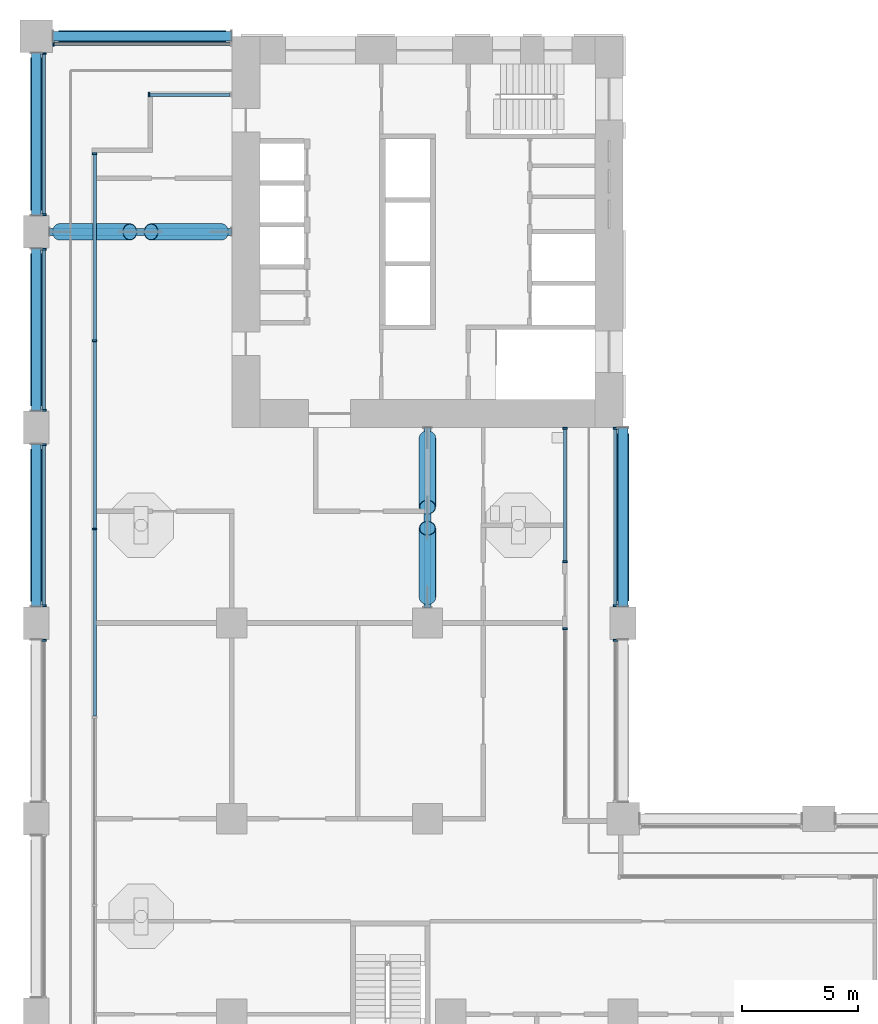
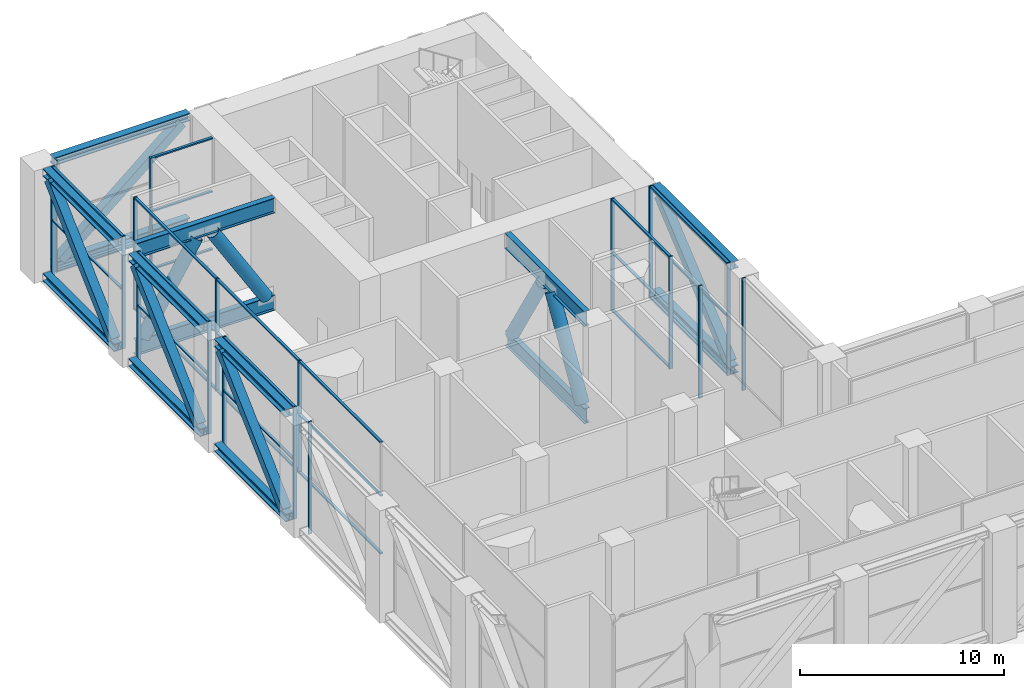
# One storey, part 5 of 28: 69 members, 11 elements without a shape of their own.
"""IFC4 building model written with IfcOpenShell, lengths in metres."""

from ifc_helpers import new_model, si_unit, direction, frame, origin, origin_2d, place, context, subcontext, project, spatial, rectangle, hollow_rectangle, hollow_circle, i_section, extrude, material, material_profile, profile_set, type_object, element, aggregate, save


model = new_model("IFC4")

# Units and contexts
model_context = context("Model", 3, precision=1e-05, world=origin(), true_north=direction((0.0, 1.0)))
body_context = subcontext(model_context, "Body", "Model", "MODEL_VIEW")
ifc_project = project(units=[si_unit("LENGTHUNIT", "METRE"), si_unit("AREAUNIT", "SQUARE_METRE"), si_unit("VOLUMEUNIT", "CUBIC_METRE"), si_unit("PLANEANGLEUNIT", "RADIAN"), si_unit("MASSUNIT", "GRAM", prefix="KILO")], contexts=[model_context])

# Site, building, storey
site_placement = place(None, origin())
site = spatial("IfcSite", under=ifc_project, at=site_placement, CompositionType="ELEMENT")
building_placement = place(site_placement, origin())
building = spatial("IfcBuilding", under=site, at=building_placement, Name="Vermilion Gate Residences", CompositionType="ELEMENT")
storey_placement = place(building_placement, frame((0.0, 0.0, 74.199951171875)))
storey = spatial("IfcBuildingStorey", under=building, at=storey_placement, Name="L18", CompositionType="ELEMENT", Elevation=74.199951171875)

# Curtain wall, member
ifc_material_1 = material(Name="Aluminium and glass", Category="aluminium")
curtain_wall_type = type_object("IfcCurtainWallType", Name="SKY GARDEN GLAZING CURTAIN WALL", PredefinedType="NOTDEFINED", material=ifc_material_1)
curtain_wall_1_placement = place(storey_placement, origin())
curtain_wall_1 = element("IfcCurtainWall", 1, at=curtain_wall_1_placement, inside=storey, type_object=curtain_wall_type, Name="Sky Garden Glazing 0", PredefinedType="NOTDEFINED")
ifc_material_2 = material(Name="Aluminium", Category="aluminium")
ifc_material_profile_1 = material_profile(ifc_material_2, rectangle(XDim=0.199951171875, YDim=0.080078125, at=origin_2d()), Name="MULLION 80 X 200")
ifc_profile_set_1 = profile_set([ifc_material_profile_1], Name="Aluminium")
member_type_1 = type_object("IfcMemberType", Name="SKY GARDEN GLAZING MULLION 80 X 200", PredefinedType="MULLION", material=ifc_profile_set_1)
member_1_placement = place(storey_placement, frame((4.840087890625, 56.300048828125, 0.0), z_axis=(0.0, 0.0, 1.0), x_axis=(0.0, -1.0, 0.0)))
member_1 = element("IfcMember", 2, at=member_1_placement, type_object=member_type_1, Name="ECW3 mullion 2", PredefinedType="MULLION", context=body_context, shape_type="SweptSolid", body=[
    extrude(rectangle(XDim=0.199951171875, YDim=0.080078125, at=origin_2d()), origin(), (0.0, 0.0, 1.0), 6.719970703125),
])

# Curtain wall, members
curtain_wall_2_placement = place(storey_placement, origin())
curtain_wall_2 = element("IfcCurtainWall", 3, at=curtain_wall_2_placement, inside=storey, type_object=curtain_wall_type, Name="Sky Garden Glazing 30", PredefinedType="NOTDEFINED")
member_2_placement = place(storey_placement, frame((2.5, 53.760009765625, 0.0), z_axis=(0.0, 0.0, 1.0), x_axis=(1.0, 0.0, 0.0)))
member_2 = element("IfcMember", 4, at=member_2_placement, type_object=member_type_1, Name="ECW3 mullion 1", PredefinedType="MULLION", context=body_context, shape_type="SweptSolid", body=[
    extrude(rectangle(XDim=0.199951171875, YDim=0.080078125, at=origin_2d()), origin(), (0.0, 0.0, 1.0), 6.719970703125),
])
member_3_placement = place(storey_placement, frame((2.5, 45.719970703125, 0.0), z_axis=(0.0, 0.0, 1.0), x_axis=(1.0, 0.0, 0.0)))
member_3 = element("IfcMember", 5, at=member_3_placement, type_object=member_type_1, Name="ECW3 mullion 2", PredefinedType="MULLION", context=body_context, shape_type="SweptSolid", body=[
    extrude(rectangle(XDim=0.199951171875, YDim=0.080078125, at=origin_2d()), origin(), (0.0, 0.0, 1.0), 6.719970703125),
])
member_4_placement = place(storey_placement, frame((2.5, 37.639892578125, 0.0), z_axis=(0.0, 0.0, 1.0), x_axis=(1.0, 0.0, 0.0)))
member_4 = element("IfcMember", 6, at=member_4_placement, type_object=member_type_1, Name="ECW3 mullion 3", PredefinedType="MULLION", context=body_context, shape_type="SweptSolid", body=[
    extrude(rectangle(XDim=0.199951171875, YDim=0.080078125, at=origin_2d()), origin(), (0.0, 0.0, 1.0), 6.719970703125),
])

# Curtain wall, member
curtain_wall_3_placement = place(storey_placement, origin())
curtain_wall_3 = element("IfcCurtainWall", 7, at=curtain_wall_3_placement, inside=storey, type_object=curtain_wall_type, Name="Sky Garden Glazing 170", PredefinedType="NOTDEFINED")
member_5_placement = place(storey_placement, frame((22.699951171875, 33.360107421875, 0.0), z_axis=(0.0, 0.0, 1.0), x_axis=(-1.0, 0.0, 0.0)))
member_5 = element("IfcMember", 8, at=member_5_placement, type_object=member_type_1, Name="ECW3 mullion 2", PredefinedType="MULLION", context=body_context, shape_type="SweptSolid", body=[
    extrude(rectangle(XDim=0.199951171875, YDim=0.080078125, at=origin_2d()), origin(), (0.0, 0.0, 1.0), 6.719970703125),
])
aggregate(curtain_wall_3, [member_5])

# Curtain wall, members
curtain_wall_4_placement = place(storey_placement, origin())
curtain_wall_4 = element("IfcCurtainWall", 9, at=curtain_wall_4_placement, inside=storey, type_object=curtain_wall_type, Name="Sky Garden Glazing 172", PredefinedType="NOTDEFINED")
member_6_placement = place(storey_placement, frame((22.699951171875, 36.239990234375, 0.0), z_axis=(0.0, 0.0, 1.0), x_axis=(-1.0, 0.0, 0.0)))
member_6 = element("IfcMember", 10, at=member_6_placement, type_object=member_type_1, Name="ECW3 mullion 1", PredefinedType="MULLION", context=body_context, shape_type="SweptSolid", body=[
    extrude(rectangle(XDim=0.199951171875, YDim=0.080078125, at=origin_2d()), origin(), (0.0, 0.0, 1.0), 6.719970703125),
])
member_7_placement = place(storey_placement, frame((22.699951171875, 41.9599609375, 0.0), z_axis=(0.0, 0.0, 1.0), x_axis=(-1.0, 0.0, 0.0)))
member_7 = element("IfcMember", 11, at=member_7_placement, type_object=member_type_1, Name="ECW3 mullion 2", PredefinedType="MULLION", context=body_context, shape_type="SweptSolid", body=[
    extrude(rectangle(XDim=0.199951171875, YDim=0.080078125, at=origin_2d()), origin(), (0.0, 0.0, 1.0), 6.719970703125),
])

curtain_wall_5_placement = place(storey_placement, origin())
curtain_wall_5 = element("IfcCurtainWall", 12, at=curtain_wall_5_placement, inside=storey, type_object=curtain_wall_type, Name="Sky Garden Glazing 500", PredefinedType="NOTDEFINED")
member_8_placement = place(storey_placement, frame((0.330078125, 58.06005859375, 0.0), z_axis=(0.0, 0.0, 1.0), x_axis=(1.0, 0.0, 0.0)))
member_8 = element("IfcMember", 13, at=member_8_placement, type_object=member_type_1, Name="ECW3 mullion 1", PredefinedType="MULLION", context=body_context, shape_type="SweptSolid", body=[
    extrude(rectangle(XDim=0.199951171875, YDim=0.080078125, at=origin_2d()), origin(), (0.0, 0.0, 1.0), 6.719970703125),
])
member_9_placement = place(storey_placement, frame((0.330078125, 51.139892578125, 0.0), z_axis=(0.0, 0.0, 1.0), x_axis=(1.0, 0.0, 0.0)))
member_9 = element("IfcMember", 14, at=member_9_placement, type_object=member_type_1, Name="ECW3 mullion 2", PredefinedType="MULLION", context=body_context, shape_type="SweptSolid", body=[
    extrude(rectangle(XDim=0.199951171875, YDim=0.080078125, at=origin_2d()), origin(), (0.0, 0.0, 1.0), 6.719970703125),
])

curtain_wall_6_placement = place(storey_placement, origin())
curtain_wall_6 = element("IfcCurtainWall", 15, at=curtain_wall_6_placement, inside=storey, type_object=curtain_wall_type, Name="Sky Garden Glazing 501", PredefinedType="NOTDEFINED")
member_10_placement = place(storey_placement, frame((0.330078125, 49.659912109375, 0.0), z_axis=(0.0, 0.0, 1.0), x_axis=(1.0, 0.0, 0.0)))
member_10 = element("IfcMember", 16, at=member_10_placement, type_object=member_type_1, Name="ECW3 mullion 1", PredefinedType="MULLION", context=body_context, shape_type="SweptSolid", body=[
    extrude(rectangle(XDim=0.199951171875, YDim=0.080078125, at=origin_2d()), origin(), (0.0, 0.0, 1.0), 6.719970703125),
])
member_11_placement = place(storey_placement, frame((0.330078125, 42.739990234375, 0.0), z_axis=(0.0, 0.0, 1.0), x_axis=(1.0, 0.0, 0.0)))
member_11 = element("IfcMember", 17, at=member_11_placement, type_object=member_type_1, Name="ECW3 mullion 2", PredefinedType="MULLION", context=body_context, shape_type="SweptSolid", body=[
    extrude(rectangle(XDim=0.199951171875, YDim=0.080078125, at=origin_2d()), origin(), (0.0, 0.0, 1.0), 6.719970703125),
])

curtain_wall_7_placement = place(storey_placement, origin())
curtain_wall_7 = element("IfcCurtainWall", 18, at=curtain_wall_7_placement, inside=storey, type_object=curtain_wall_type, Name="Sky Garden Glazing 502", PredefinedType="NOTDEFINED")
member_12_placement = place(storey_placement, frame((0.330078125, 41.260009765625, 0.0), z_axis=(0.0, 0.0, 1.0), x_axis=(1.0, 0.0, 0.0)))
member_12 = element("IfcMember", 19, at=member_12_placement, type_object=member_type_1, Name="ECW3 mullion 1", PredefinedType="MULLION", context=body_context, shape_type="SweptSolid", body=[
    extrude(rectangle(XDim=0.199951171875, YDim=0.080078125, at=origin_2d()), origin(), (0.0, 0.0, 1.0), 6.719970703125),
])
member_13_placement = place(storey_placement, frame((0.330078125, 34.340087890625, 0.0), z_axis=(0.0, 0.0, 1.0), x_axis=(1.0, 0.0, 0.0)))
member_13 = element("IfcMember", 20, at=member_13_placement, type_object=member_type_1, Name="ECW3 mullion 2", PredefinedType="MULLION", context=body_context, shape_type="SweptSolid", body=[
    extrude(rectangle(XDim=0.199951171875, YDim=0.080078125, at=origin_2d()), origin(), (0.0, 0.0, 1.0), 6.719970703125),
])

# Curtain wall, member
curtain_wall_8_placement = place(storey_placement, origin())
curtain_wall_8 = element("IfcCurtainWall", 21, at=curtain_wall_8_placement, inside=storey, type_object=curtain_wall_type, Name="Sky Garden Glazing 503", PredefinedType="NOTDEFINED")
member_14_placement = place(storey_placement, frame((0.330078125, 32.860107421875, 0.0), z_axis=(0.0, 0.0, 1.0), x_axis=(1.0, 0.0, 0.0)))
member_14 = element("IfcMember", 22, at=member_14_placement, type_object=member_type_1, Name="ECW3 mullion 1", PredefinedType="MULLION", context=body_context, shape_type="SweptSolid", body=[
    extrude(rectangle(XDim=0.199951171875, YDim=0.080078125, at=origin_2d()), origin(), (0.0, 0.0, 1.0), 6.719970703125),
])
aggregate(curtain_wall_8, [member_14])

curtain_wall_9_placement = place(storey_placement, origin())
curtain_wall_9 = element("IfcCurtainWall", 23, at=curtain_wall_9_placement, inside=storey, type_object=curtain_wall_type, Name="Sky Garden Glazing 519", PredefinedType="NOTDEFINED")
member_15_placement = place(storey_placement, frame((24.8701171875, 32.860107421875, 0.0), z_axis=(0.0, 0.0, 1.0), x_axis=(-1.0, 0.0, 0.0)))
member_15 = element("IfcMember", 24, at=member_15_placement, type_object=member_type_1, Name="ECW3 mullion 2", PredefinedType="MULLION", context=body_context, shape_type="SweptSolid", body=[
    extrude(rectangle(XDim=0.199951171875, YDim=0.080078125, at=origin_2d()), origin(), (0.0, 0.0, 1.0), 6.719970703125),
])
aggregate(curtain_wall_9, [member_15])

# Curtain wall, members
curtain_wall_10_placement = place(storey_placement, origin())
curtain_wall_10 = element("IfcCurtainWall", 25, at=curtain_wall_10_placement, inside=storey, type_object=curtain_wall_type, Name="Sky Garden Glazing 520", PredefinedType="NOTDEFINED")
member_16_placement = place(storey_placement, frame((24.8701171875, 34.340087890625, 0.0), z_axis=(0.0, 0.0, 1.0), x_axis=(-1.0, 0.0, 0.0)))
member_16 = element("IfcMember", 26, at=member_16_placement, type_object=member_type_1, Name="ECW3 mullion 1", PredefinedType="MULLION", context=body_context, shape_type="SweptSolid", body=[
    extrude(rectangle(XDim=0.199951171875, YDim=0.080078125, at=origin_2d()), origin(), (0.0, 0.0, 1.0), 6.719970703125),
])
member_17_placement = place(storey_placement, frame((24.8701171875, 41.9599609375, 0.0), z_axis=(0.0, 0.0, 1.0), x_axis=(-1.0, 0.0, 0.0)))
member_17 = element("IfcMember", 27, at=member_17_placement, type_object=member_type_1, Name="ECW3 mullion 2", PredefinedType="MULLION", context=body_context, shape_type="SweptSolid", body=[
    extrude(rectangle(XDim=0.199951171875, YDim=0.080078125, at=origin_2d()), origin(), (0.0, 0.0, 1.0), 6.719970703125),
])

# Curtain wall, member
curtain_wall_11_placement = place(storey_placement, origin())
curtain_wall_11 = element("IfcCurtainWall", 28, at=curtain_wall_11_placement, inside=storey, type_object=curtain_wall_type, Name="Sky Garden Glazing 521", PredefinedType="NOTDEFINED")
member_18_placement = place(storey_placement, frame((0.739990234375, 58.469970703125, 0.0), z_axis=(0.0, 0.0, 1.0), x_axis=(0.0, -1.0, 0.0)))
member_18 = element("IfcMember", 29, at=member_18_placement, type_object=member_type_1, Name="ECW3 mullion 2", PredefinedType="MULLION", context=body_context, shape_type="SweptSolid", body=[
    extrude(rectangle(XDim=0.199951171875, YDim=0.080078125, at=origin_2d()), origin(), (0.0, 0.0, 1.0), 6.719970703125),
])

# Member
ifc_material_3 = material(Name="Aluminium", Category="aluminium")
ifc_material_profile_2 = material_profile(ifc_material_3, rectangle(XDim=0.14990234375, YDim=0.080078125, at=origin_2d()), Name="TRANSOM 80 X 150")
ifc_profile_set_2 = profile_set([ifc_material_profile_2], Name="Aluminium")
member_type_2 = type_object("IfcMemberType", Name="SKY GARDEN GLAZING TRANSOM 80 X 150", PredefinedType="MULLION", material=ifc_profile_set_2)
member_19_placement = place(storey_placement, frame((8.320068359375, 56.300048828125, 0.0400390625), z_axis=(-1.0, 0.0, 0.0), x_axis=(0.0, -1.0, 0.0)))
member_19 = element("IfcMember", 30, at=member_19_placement, type_object=member_type_2, Name="ECW3 transom 1.1", PredefinedType="MULLION", context=body_context, shape_type="SweptSolid", body=[
    extrude(rectangle(XDim=0.14990234375, YDim=0.080078125, at=origin_2d()), origin(), (0.0, 0.0, 1.0), 3.440185546875),
])

member_20_placement = place(storey_placement, frame((8.320068359375, 56.300048828125, 3.5), z_axis=(-1.0, 0.0, 0.0), x_axis=(0.0, -1.0, 0.0)))
member_20 = element("IfcMember", 31, at=member_20_placement, type_object=member_type_2, Name="ECW3 transom 1.2", PredefinedType="MULLION", context=body_context, shape_type="SweptSolid", body=[
    extrude(rectangle(XDim=0.14990234375, YDim=0.080078125, at=origin_2d()), origin(), (0.0, 0.0, 1.0), 3.440185546875),
])

member_21_placement = place(storey_placement, frame((8.320068359375, 56.300048828125, 6.679931640625), z_axis=(-1.0, 0.0, 0.0), x_axis=(0.0, -1.0, 0.0)))
member_21 = element("IfcMember", 32, at=member_21_placement, type_object=member_type_2, Name="ECW3 transom 1.3", PredefinedType="MULLION", context=body_context, shape_type="SweptSolid", body=[
    extrude(rectangle(XDim=0.14990234375, YDim=0.080078125, at=origin_2d()), origin(), (0.0, 0.0, 1.0), 3.440185546875),
])

aggregate(curtain_wall_1, [member_1, member_19, member_20, member_21])

member_22_placement = place(storey_placement, frame((2.5, 53.719970703125, 0.0400390625), z_axis=(0.0, -1.0, 0.0), x_axis=(1.0, 0.0, 0.0)))
member_22 = element("IfcMember", 33, at=member_22_placement, type_object=member_type_2, Name="ECW3 transom 1.1", PredefinedType="MULLION", context=body_context, shape_type="SweptSolid", body=[
    extrude(rectangle(XDim=0.14990234375, YDim=0.080078125, at=origin_2d()), origin(), (0.0, 0.0, 1.0), 7.9599609375),
])

member_23_placement = place(storey_placement, frame((2.5, 53.719970703125, 3.5), z_axis=(0.0, -1.0, 0.0), x_axis=(1.0, 0.0, 0.0)))
member_23 = element("IfcMember", 34, at=member_23_placement, type_object=member_type_2, Name="ECW3 transom 1.2", PredefinedType="MULLION", context=body_context, shape_type="SweptSolid", body=[
    extrude(rectangle(XDim=0.14990234375, YDim=0.080078125, at=origin_2d()), origin(), (0.0, 0.0, 1.0), 7.9599609375),
])

member_24_placement = place(storey_placement, frame((2.5, 53.719970703125, 6.679931640625), z_axis=(0.0, -1.0, 0.0), x_axis=(1.0, 0.0, 0.0)))
member_24 = element("IfcMember", 35, at=member_24_placement, type_object=member_type_2, Name="ECW3 transom 1.3", PredefinedType="MULLION", context=body_context, shape_type="SweptSolid", body=[
    extrude(rectangle(XDim=0.14990234375, YDim=0.080078125, at=origin_2d()), origin(), (0.0, 0.0, 1.0), 7.9599609375),
])

member_25_placement = place(storey_placement, frame((2.5, 45.679931640625, 0.0400390625), z_axis=(0.0, -1.0, 0.0), x_axis=(1.0, 0.0, 0.0)))
member_25 = element("IfcMember", 36, at=member_25_placement, type_object=member_type_2, Name="ECW3 transom 2.1", PredefinedType="MULLION", context=body_context, shape_type="SweptSolid", body=[
    extrude(rectangle(XDim=0.14990234375, YDim=0.080078125, at=origin_2d()), origin(), (0.0, 0.0, 1.0), 8.0),
])

member_26_placement = place(storey_placement, frame((2.5, 45.679931640625, 3.5), z_axis=(0.0, -1.0, 0.0), x_axis=(1.0, 0.0, 0.0)))
member_26 = element("IfcMember", 37, at=member_26_placement, type_object=member_type_2, Name="ECW3 transom 2.2", PredefinedType="MULLION", context=body_context, shape_type="SweptSolid", body=[
    extrude(rectangle(XDim=0.14990234375, YDim=0.080078125, at=origin_2d()), origin(), (0.0, 0.0, 1.0), 8.0),
])

member_27_placement = place(storey_placement, frame((2.5, 45.679931640625, 6.679931640625), z_axis=(0.0, -1.0, 0.0), x_axis=(1.0, 0.0, 0.0)))
member_27 = element("IfcMember", 38, at=member_27_placement, type_object=member_type_2, Name="ECW3 transom 2.3", PredefinedType="MULLION", context=body_context, shape_type="SweptSolid", body=[
    extrude(rectangle(XDim=0.14990234375, YDim=0.080078125, at=origin_2d()), origin(), (0.0, 0.0, 1.0), 8.0),
])

member_28_placement = place(storey_placement, frame((2.5, 37.60009765625, 0.0400390625), z_axis=(0.0, -1.0, 0.0), x_axis=(1.0, 0.0, 0.0)))
member_28 = element("IfcMember", 39, at=member_28_placement, type_object=member_type_2, Name="ECW3 transom 3.1", PredefinedType="MULLION", context=body_context, shape_type="SweptSolid", body=[
    extrude(rectangle(XDim=0.14990234375, YDim=0.080078125, at=origin_2d()), origin(), (0.0, 0.0, 1.0), 8.0),
])

member_29_placement = place(storey_placement, frame((2.5, 37.60009765625, 3.5), z_axis=(0.0, -1.0, 0.0), x_axis=(1.0, 0.0, 0.0)))
member_29 = element("IfcMember", 40, at=member_29_placement, type_object=member_type_2, Name="ECW3 transom 3.2", PredefinedType="MULLION", context=body_context, shape_type="SweptSolid", body=[
    extrude(rectangle(XDim=0.14990234375, YDim=0.080078125, at=origin_2d()), origin(), (0.0, 0.0, 1.0), 8.0),
])

member_30_placement = place(storey_placement, frame((2.5, 37.60009765625, 6.679931640625), z_axis=(0.0, -1.0, 0.0), x_axis=(1.0, 0.0, 0.0)))
member_30 = element("IfcMember", 41, at=member_30_placement, type_object=member_type_2, Name="ECW3 transom 3.3", PredefinedType="MULLION", context=body_context, shape_type="SweptSolid", body=[
    extrude(rectangle(XDim=0.14990234375, YDim=0.080078125, at=origin_2d()), origin(), (0.0, 0.0, 1.0), 8.0),
])

aggregate(curtain_wall_2, [member_2, member_3, member_4, member_22, member_23, member_24, member_25, member_26, member_27, member_28, member_29, member_30])

member_31_placement = place(storey_placement, frame((22.699951171875, 36.280029296875, 0.0400390625), z_axis=(0.0, 1.0, 0.0), x_axis=(-1.0, 0.0, 0.0)))
member_31 = element("IfcMember", 42, at=member_31_placement, type_object=member_type_2, Name="ECW3 transom 1.1", PredefinedType="MULLION", context=body_context, shape_type="SweptSolid", body=[
    extrude(rectangle(XDim=0.14990234375, YDim=0.080078125, at=origin_2d()), origin(), (0.0, 0.0, 1.0), 5.639892578125),
])

member_32_placement = place(storey_placement, frame((22.699951171875, 36.280029296875, 3.5), z_axis=(0.0, 1.0, 0.0), x_axis=(-1.0, 0.0, 0.0)))
member_32 = element("IfcMember", 43, at=member_32_placement, type_object=member_type_2, Name="ECW3 transom 1.2", PredefinedType="MULLION", context=body_context, shape_type="SweptSolid", body=[
    extrude(rectangle(XDim=0.14990234375, YDim=0.080078125, at=origin_2d()), origin(), (0.0, 0.0, 1.0), 5.639892578125),
])

member_33_placement = place(storey_placement, frame((22.699951171875, 36.280029296875, 6.679931640625), z_axis=(0.0, 1.0, 0.0), x_axis=(-1.0, 0.0, 0.0)))
member_33 = element("IfcMember", 44, at=member_33_placement, type_object=member_type_2, Name="ECW3 transom 1.3", PredefinedType="MULLION", context=body_context, shape_type="SweptSolid", body=[
    extrude(rectangle(XDim=0.14990234375, YDim=0.080078125, at=origin_2d()), origin(), (0.0, 0.0, 1.0), 5.639892578125),
])

aggregate(curtain_wall_4, [member_6, member_7, member_31, member_32, member_33])

member_34_placement = place(storey_placement, frame((0.330078125, 58.02001953125, 0.0400390625), z_axis=(0.0, -1.0, 0.0), x_axis=(1.0, 0.0, 0.0)))
member_34 = element("IfcMember", 45, at=member_34_placement, type_object=member_type_2, Name="ECW3 transom 1.1", PredefinedType="MULLION", context=body_context, shape_type="SweptSolid", body=[
    extrude(rectangle(XDim=0.14990234375, YDim=0.080078125, at=origin_2d()), origin(), (0.0, 0.0, 1.0), 6.840087890625),
])

member_35_placement = place(storey_placement, frame((0.330078125, 58.02001953125, 3.5), z_axis=(0.0, -1.0, 0.0), x_axis=(1.0, 0.0, 0.0)))
member_35 = element("IfcMember", 46, at=member_35_placement, type_object=member_type_2, Name="ECW3 transom 1.2", PredefinedType="MULLION", context=body_context, shape_type="SweptSolid", body=[
    extrude(rectangle(XDim=0.14990234375, YDim=0.080078125, at=origin_2d()), origin(), (0.0, 0.0, 1.0), 6.840087890625),
])

member_36_placement = place(storey_placement, frame((0.330078125, 58.02001953125, 6.679931640625), z_axis=(0.0, -1.0, 0.0), x_axis=(1.0, 0.0, 0.0)))
member_36 = element("IfcMember", 47, at=member_36_placement, type_object=member_type_2, Name="ECW3 transom 1.3", PredefinedType="MULLION", context=body_context, shape_type="SweptSolid", body=[
    extrude(rectangle(XDim=0.14990234375, YDim=0.080078125, at=origin_2d()), origin(), (0.0, 0.0, 1.0), 6.840087890625),
])

aggregate(curtain_wall_5, [member_8, member_9, member_34, member_35, member_36])

member_37_placement = place(storey_placement, frame((0.330078125, 49.6201171875, 0.0400390625), z_axis=(0.0, -1.0, 0.0), x_axis=(1.0, 0.0, 0.0)))
member_37 = element("IfcMember", 48, at=member_37_placement, type_object=member_type_2, Name="ECW3 transom 1.1", PredefinedType="MULLION", context=body_context, shape_type="SweptSolid", body=[
    extrude(rectangle(XDim=0.14990234375, YDim=0.080078125, at=origin_2d()), origin(), (0.0, 0.0, 1.0), 6.840087890625),
])

member_38_placement = place(storey_placement, frame((0.330078125, 49.6201171875, 3.5), z_axis=(0.0, -1.0, 0.0), x_axis=(1.0, 0.0, 0.0)))
member_38 = element("IfcMember", 49, at=member_38_placement, type_object=member_type_2, Name="ECW3 transom 1.2", PredefinedType="MULLION", context=body_context, shape_type="SweptSolid", body=[
    extrude(rectangle(XDim=0.14990234375, YDim=0.080078125, at=origin_2d()), origin(), (0.0, 0.0, 1.0), 6.840087890625),
])

member_39_placement = place(storey_placement, frame((0.330078125, 49.6201171875, 6.679931640625), z_axis=(0.0, -1.0, 0.0), x_axis=(1.0, 0.0, 0.0)))
member_39 = element("IfcMember", 50, at=member_39_placement, type_object=member_type_2, Name="ECW3 transom 1.3", PredefinedType="MULLION", context=body_context, shape_type="SweptSolid", body=[
    extrude(rectangle(XDim=0.14990234375, YDim=0.080078125, at=origin_2d()), origin(), (0.0, 0.0, 1.0), 6.840087890625),
])

aggregate(curtain_wall_6, [member_10, member_11, member_37, member_38, member_39])

member_40_placement = place(storey_placement, frame((0.330078125, 41.219970703125, 0.0400390625), z_axis=(0.0, -1.0, 0.0), x_axis=(1.0, 0.0, 0.0)))
member_40 = element("IfcMember", 51, at=member_40_placement, type_object=member_type_2, Name="ECW3 transom 1.1", PredefinedType="MULLION", context=body_context, shape_type="SweptSolid", body=[
    extrude(rectangle(XDim=0.14990234375, YDim=0.080078125, at=origin_2d()), origin(), (0.0, 0.0, 1.0), 6.840087890625),
])

member_41_placement = place(storey_placement, frame((0.330078125, 41.219970703125, 3.5), z_axis=(0.0, -1.0, 0.0), x_axis=(1.0, 0.0, 0.0)))
member_41 = element("IfcMember", 52, at=member_41_placement, type_object=member_type_2, Name="ECW3 transom 1.2", PredefinedType="MULLION", context=body_context, shape_type="SweptSolid", body=[
    extrude(rectangle(XDim=0.14990234375, YDim=0.080078125, at=origin_2d()), origin(), (0.0, 0.0, 1.0), 6.840087890625),
])

member_42_placement = place(storey_placement, frame((0.330078125, 41.219970703125, 6.679931640625), z_axis=(0.0, -1.0, 0.0), x_axis=(1.0, 0.0, 0.0)))
member_42 = element("IfcMember", 53, at=member_42_placement, type_object=member_type_2, Name="ECW3 transom 1.3", PredefinedType="MULLION", context=body_context, shape_type="SweptSolid", body=[
    extrude(rectangle(XDim=0.14990234375, YDim=0.080078125, at=origin_2d()), origin(), (0.0, 0.0, 1.0), 6.840087890625),
])

aggregate(curtain_wall_7, [member_12, member_13, member_40, member_41, member_42])

member_43_placement = place(storey_placement, frame((24.8701171875, 34.3798828125, 0.0400390625), z_axis=(0.0, 1.0, 0.0), x_axis=(-1.0, 0.0, 0.0)))
member_43 = element("IfcMember", 54, at=member_43_placement, type_object=member_type_2, Name="ECW3 transom 1.1", PredefinedType="MULLION", context=body_context, shape_type="SweptSolid", body=[
    extrude(rectangle(XDim=0.14990234375, YDim=0.080078125, at=origin_2d()), origin(), (0.0, 0.0, 1.0), 7.5400390625),
])

member_44_placement = place(storey_placement, frame((24.8701171875, 34.3798828125, 3.5), z_axis=(0.0, 1.0, 0.0), x_axis=(-1.0, 0.0, 0.0)))
member_44 = element("IfcMember", 55, at=member_44_placement, type_object=member_type_2, Name="ECW3 transom 1.2", PredefinedType="MULLION", context=body_context, shape_type="SweptSolid", body=[
    extrude(rectangle(XDim=0.14990234375, YDim=0.080078125, at=origin_2d()), origin(), (0.0, 0.0, 1.0), 7.5400390625),
])

member_45_placement = place(storey_placement, frame((24.8701171875, 34.3798828125, 6.679931640625), z_axis=(0.0, 1.0, 0.0), x_axis=(-1.0, 0.0, 0.0)))
member_45 = element("IfcMember", 56, at=member_45_placement, type_object=member_type_2, Name="ECW3 transom 1.3", PredefinedType="MULLION", context=body_context, shape_type="SweptSolid", body=[
    extrude(rectangle(XDim=0.14990234375, YDim=0.080078125, at=origin_2d()), origin(), (0.0, 0.0, 1.0), 7.5400390625),
])

aggregate(curtain_wall_10, [member_16, member_17, member_43, member_44, member_45])

member_46_placement = place(storey_placement, frame((8.320068359375, 58.469970703125, 0.0400390625), z_axis=(-1.0, 0.0, 0.0), x_axis=(0.0, -1.0, 0.0)))
member_46 = element("IfcMember", 57, at=member_46_placement, type_object=member_type_2, Name="ECW3 transom 1.1", PredefinedType="MULLION", context=body_context, shape_type="SweptSolid", body=[
    extrude(rectangle(XDim=0.14990234375, YDim=0.080078125, at=origin_2d()), origin(), (0.0, 0.0, 1.0), 7.5400390625),
])

aggregate(curtain_wall_11, [member_18, member_46])

# Members
ifc_material_4 = material(Name="Steel SM490", Category="steel")
ifc_material_profile_3 = material_profile(ifc_material_4, i_section(OverallWidth=0.4169921875, OverallDepth=0.4580078125, WebThickness=0.030029296875, FlangeThickness=0.050048828125, at=origin_2d()), Name="H-458x417x30x50")
ifc_profile_set_3 = profile_set([ifc_material_profile_3], Name="Steel SM490")
member_type_3 = type_object("IfcMemberType", Name="STEEL BELT TRUSS CHORD H-458x417x30x50 SM490", PredefinedType="CHORD", material=ifc_profile_set_3)
for number, where, z_axis, x_axis, name in (
    (58, (0.0, 34.300048828125, 0.22900390625), (0.0, 1.0, 0.0), (-1.0, 0.0, 0.0), "Belt Truss chord bot L18 BELT5"),
    (59, (0.0, 34.300048828125, 6.490966796875), (0.0, 1.0, 0.0), (-1.0, 0.0, 0.0), "Belt Truss chord top L18 BELT5"),
    (60, (0.0, 42.699951171875, 0.22900390625), (0.0, 1.0, 0.0), (-1.0, 0.0, 0.0), "Belt Truss chord bot L18 BELT6"),
    (61, (0.0, 42.699951171875, 6.490966796875), (0.0, 1.0, 0.0), (-1.0, 0.0, 0.0), "Belt Truss chord top L18 BELT6"),
):
    element("IfcMember", number, at=place(storey_placement, frame(where, z_axis=z_axis, x_axis=x_axis)), inside=storey, type_object=member_type_3, Name=name, PredefinedType="CHORD", context=body_context, shape_type="SweptSolid", body=[
        extrude(i_section(OverallWidth=0.4169921875, OverallDepth=0.4580078125, WebThickness=0.030029296875, FlangeThickness=0.050048828125, at=origin_2d()), origin(), (0.0, 0.0, 1.0), 7.0),
    ])
for number, where, z_axis, x_axis, name in (
    (62, (0.699951171875, 58.800048828125, 0.22900390625), (1.0, 0.0, 0.0), (0.0, 1.0, 0.0), "Belt Truss chord bot L18 BELT7"),
    (63, (0.699951171875, 58.800048828125, 6.490966796875), (1.0, 0.0, 0.0), (0.0, 1.0, 0.0), "Belt Truss chord top L18 BELT7"),
):
    element("IfcMember", number, at=place(storey_placement, frame(where, z_axis=z_axis, x_axis=x_axis)), inside=storey, type_object=member_type_3, Name=name, PredefinedType="CHORD", context=body_context, shape_type="SweptSolid", body=[
        extrude(i_section(OverallWidth=0.4169921875, OverallDepth=0.4580078125, WebThickness=0.030029296875, FlangeThickness=0.050048828125, at=origin_2d()), origin(), (0.0, 0.0, 1.0), 7.699951171875),
    ])
for number, where, z_axis, x_axis, name in (
    (64, (0.0, 51.10009765625, 0.22900390625), (0.0, 1.0, 0.0), (-1.0, 0.0, 0.0), "Belt Truss chord bot L18 BELT8"),
    (65, (0.0, 51.10009765625, 6.490966796875), (0.0, 1.0, 0.0), (-1.0, 0.0, 0.0), "Belt Truss chord top L18 BELT8"),
):
    element("IfcMember", number, at=place(storey_placement, frame(where, z_axis=z_axis, x_axis=x_axis)), inside=storey, type_object=member_type_3, Name=name, PredefinedType="CHORD", context=body_context, shape_type="SweptSolid", body=[
        extrude(i_section(OverallWidth=0.4169921875, OverallDepth=0.4580078125, WebThickness=0.030029296875, FlangeThickness=0.050048828125, at=origin_2d()), origin(), (0.0, 0.0, 1.0), 7.0),
    ])
for number, where, z_axis, x_axis, name in (
    (66, (25.199951171875, 34.300048828125, 0.22900390625), (0.0, 1.0, 0.0), (-1.0, 0.0, 0.0), "Belt Truss chord bot L18 BELT12"),
    (67, (25.199951171875, 34.300048828125, 6.490966796875), (0.0, 1.0, 0.0), (-1.0, 0.0, 0.0), "Belt Truss chord top L18 BELT12"),
):
    element("IfcMember", number, at=place(storey_placement, frame(where, z_axis=z_axis, x_axis=x_axis)), inside=storey, type_object=member_type_3, Name=name, PredefinedType="CHORD", context=body_context, shape_type="SweptSolid", body=[
        extrude(i_section(OverallWidth=0.4169921875, OverallDepth=0.4580078125, WebThickness=0.030029296875, FlangeThickness=0.050048828125, at=origin_2d()), origin(), (0.0, 0.0, 1.0), 7.699951171875),
    ])
ifc_material_5 = material(Name="Steel SM490", Category="steel")
ifc_material_profile_4 = material_profile(ifc_material_5, hollow_rectangle(XDim=0.5, YDim=0.5, WallThickness=0.02197265625, at=origin_2d()), Name="BOX-500x500x22")
ifc_profile_set_4 = profile_set([ifc_material_profile_4], Name="Steel SM490")
member_type_4 = type_object("IfcMemberType", Name="STEEL BELT TRUSS DIAGONAL BOX-500x500x22 SM490", PredefinedType="BRACE", material=ifc_profile_set_4)
for number, where, z_axis, x_axis, name in (
    (68, (0.0, 34.691650390625, 0.4580078125), (0.0, 0.730947389044, 0.682433816901), (-1.0, 0.0, 0.0), "Belt Truss diagonal L18 BELT5-1"),
    (69, (0.0, 43.091796875, 0.4580078125), (0.0, 0.730947389044, 0.682433816901), (-1.0, 0.0, 0.0), "Belt Truss diagonal L18 BELT6-1"),
):
    element("IfcMember", number, at=place(storey_placement, frame(where, z_axis=z_axis, x_axis=x_axis)), inside=storey, type_object=member_type_4, Name=name, PredefinedType="BRACE", context=body_context, shape_type="SweptSolid", body=[
        extrude(hollow_rectangle(XDim=0.5, YDim=0.5, WallThickness=0.02197265625, at=origin_2d()), origin(), (0.0, 0.0, 1.0), 8.5048828125),
    ])
member_47_placement = place(storey_placement, frame((1.115234375, 58.800048828125, 0.4580078125), z_axis=(0.763857704741, 0.0, 0.645384696834), x_axis=(0.0, 1.0, 0.0)))
element("IfcMember", 70, at=member_47_placement, inside=storey, type_object=member_type_4, Name="Belt Truss diagonal L18 BELT7-1", PredefinedType="BRACE", context=body_context, shape_type="SweptSolid", body=[
    extrude(hollow_rectangle(XDim=0.5, YDim=0.5, WallThickness=0.02197265625, at=origin_2d()), origin(), (0.0, 0.0, 1.0), 8.992919921875),
])
member_48_placement = place(storey_placement, frame((0.0, 51.49169921875, 0.4580078125), z_axis=(0.0, 0.730947389044, 0.682433816901), x_axis=(-1.0, 0.0, 0.0)))
element("IfcMember", 71, at=member_48_placement, inside=storey, type_object=member_type_4, Name="Belt Truss diagonal L18 BELT8-1", PredefinedType="BRACE", context=body_context, shape_type="SweptSolid", body=[
    extrude(hollow_rectangle(XDim=0.5, YDim=0.5, WallThickness=0.02197265625, at=origin_2d()), origin(), (0.0, 0.0, 1.0), 8.5048828125),
])
member_49_placement = place(storey_placement, frame((25.199951171875, 34.71533203125, 0.4580078125), z_axis=(0.0, 0.763857704741, 0.645384696834), x_axis=(-1.0, 0.0, 0.0)))
element("IfcMember", 72, at=member_49_placement, inside=storey, type_object=member_type_4, Name="Belt Truss diagonal L18 BELT12-1", PredefinedType="BRACE", context=body_context, shape_type="SweptSolid", body=[
    extrude(hollow_rectangle(XDim=0.5, YDim=0.5, WallThickness=0.02197265625, at=origin_2d()), origin(), (0.0, 0.0, 1.0), 8.992919921875),
])
ifc_material_6 = material(Name="Steel SM490", Category="steel")
ifc_material_profile_5 = material_profile(ifc_material_6, i_section(OverallWidth=0.300048828125, OverallDepth=0.89990234375, WebThickness=0.01611328125, FlangeThickness=0.028076171875, at=origin_2d()), Name="H-900x300x16x28")
ifc_profile_set_5 = profile_set([ifc_material_profile_5], Name="Steel SM490")
member_type_5 = type_object("IfcMemberType", Name="STEEL OUTRIGGER TRUSS CHORD H-900x300x16x28 SM490", PredefinedType="CHORD", material=ifc_profile_set_5)
for number, where, z_axis, x_axis, name in (
    (73, (8.39990234375, 50.39990234375, 0.449951171875), (-1.0, 0.0, 0.0), (0.0, -1.0, 0.0), "Outrigger Truss chord bot L18 OUT3"),
    (74, (8.39990234375, 50.39990234375, 6.27001953125), (-1.0, 0.0, 0.0), (0.0, -1.0, 0.0), "Outrigger Truss chord top L18 OUT3"),
):
    element("IfcMember", number, at=place(storey_placement, frame(where, z_axis=z_axis, x_axis=x_axis)), inside=storey, type_object=member_type_5, Name=name, PredefinedType="CHORD", context=body_context, shape_type="SweptSolid", body=[
        extrude(i_section(OverallWidth=0.300048828125, OverallDepth=0.89990234375, WebThickness=0.01611328125, FlangeThickness=0.028076171875, at=origin_2d()), origin(), (0.0, 0.0, 1.0), 7.849853515625),
    ])
for number, where, z_axis, x_axis, name in (
    (75, (16.800048828125, 42.0, 0.449951171875), (0.0, -1.0, 0.0), (1.0, 0.0, 0.0), "Outrigger Truss chord bot L18 OUT4"),
    (76, (16.800048828125, 42.0, 6.27001953125), (0.0, -1.0, 0.0), (1.0, 0.0, 0.0), "Outrigger Truss chord top L18 OUT4"),
):
    element("IfcMember", number, at=place(storey_placement, frame(where, z_axis=z_axis, x_axis=x_axis)), inside=storey, type_object=member_type_5, Name=name, PredefinedType="CHORD", context=body_context, shape_type="SweptSolid", body=[
        extrude(i_section(OverallWidth=0.300048828125, OverallDepth=0.89990234375, WebThickness=0.01611328125, FlangeThickness=0.028076171875, at=origin_2d()), origin(), (0.0, 0.0, 1.0), 7.75),
    ])
ifc_material_7 = material(Name="Steel SM490", Category="steel")
ifc_material_profile_6 = material_profile(ifc_material_7, hollow_circle(Radius=0.355712890625, WallThickness=0.025390625, at=origin_2d()), Name="CHS-711.2x25.4")
ifc_profile_set_6 = profile_set([ifc_material_profile_6], Name="Steel SM490")
member_type_6 = type_object("IfcMemberType", Name="STEEL OUTRIGGER TRUSS DIAGONAL CHS-711.2x25.4 SM490", PredefinedType="BRACE", material=ifc_profile_set_6)
for number, where, z_axis, x_axis, name in (
    (77, (7.945068359375, 50.39990234375, 0.900146484375), (-0.522524356371, 0.0, 0.852624358671), (0.0, -1.0, 0.0), "Outrigger Truss diagonal L18 OUT3-1"),
    (78, (4.02001953125, 50.39990234375, 5.820068359375), (-0.522524356371, 0.0, -0.852624358671), (0.0, -1.0, 0.0), "Outrigger Truss diagonal L18 OUT3-2"),
):
    element("IfcMember", number, at=place(storey_placement, frame(where, z_axis=z_axis, x_axis=x_axis)), inside=storey, type_object=member_type_6, Name=name, PredefinedType="BRACE", context=body_context, shape_type="SweptSolid", body=[
        extrude(hollow_circle(Radius=0.355712890625, WallThickness=0.025390625, at=origin_2d()), origin(), (0.0, 0.0, 1.0), 5.770263671875),
    ])
for number, where, z_axis, x_axis, name in (
    (79, (16.800048828125, 41.54736328125, 0.900146484375), (0.0, -0.516768057432, 0.856125443389), (1.0, 0.0, 0.0), "Outrigger Truss diagonal L18 OUT4-1"),
    (80, (16.800048828125, 37.67236328125, 5.820068359375), (0.0, -0.516768057432, -0.856125443389), (1.0, 0.0, 0.0), "Outrigger Truss diagonal L18 OUT4-2"),
):
    element("IfcMember", number, at=place(storey_placement, frame(where, z_axis=z_axis, x_axis=x_axis)), inside=storey, type_object=member_type_6, Name=name, PredefinedType="BRACE", context=body_context, shape_type="SweptSolid", body=[
        extrude(hollow_circle(Radius=0.355712890625, WallThickness=0.025390625, at=origin_2d()), origin(), (0.0, 0.0, 1.0), 5.746826171875),
    ])

save(model, "model.ifc")
